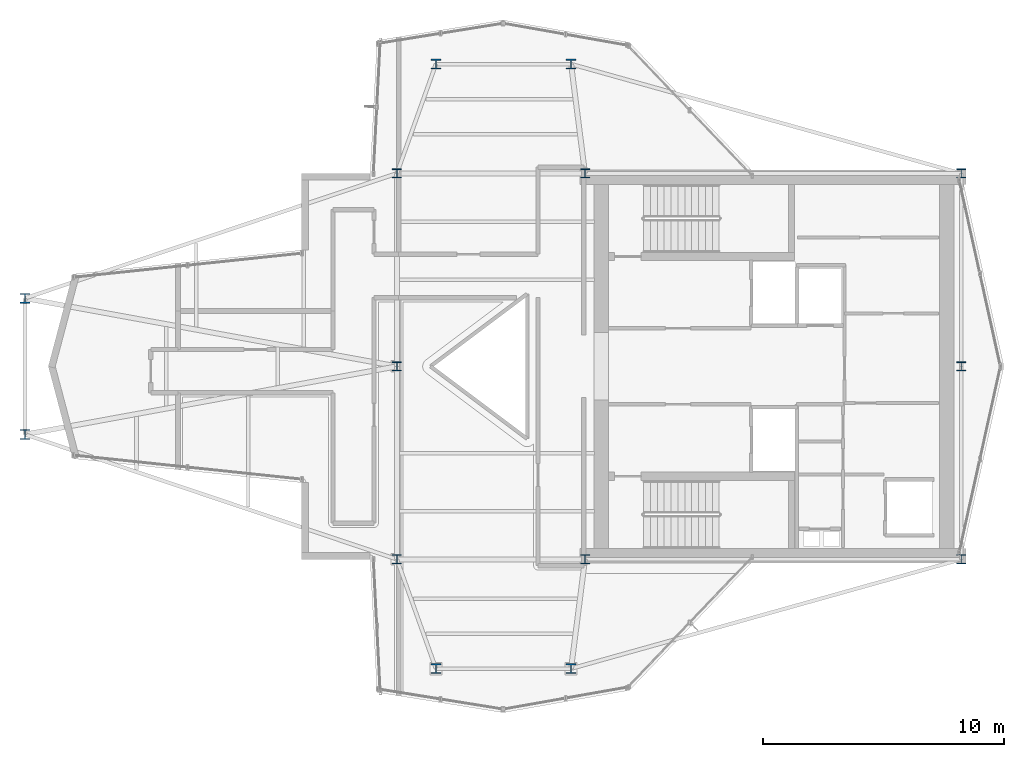
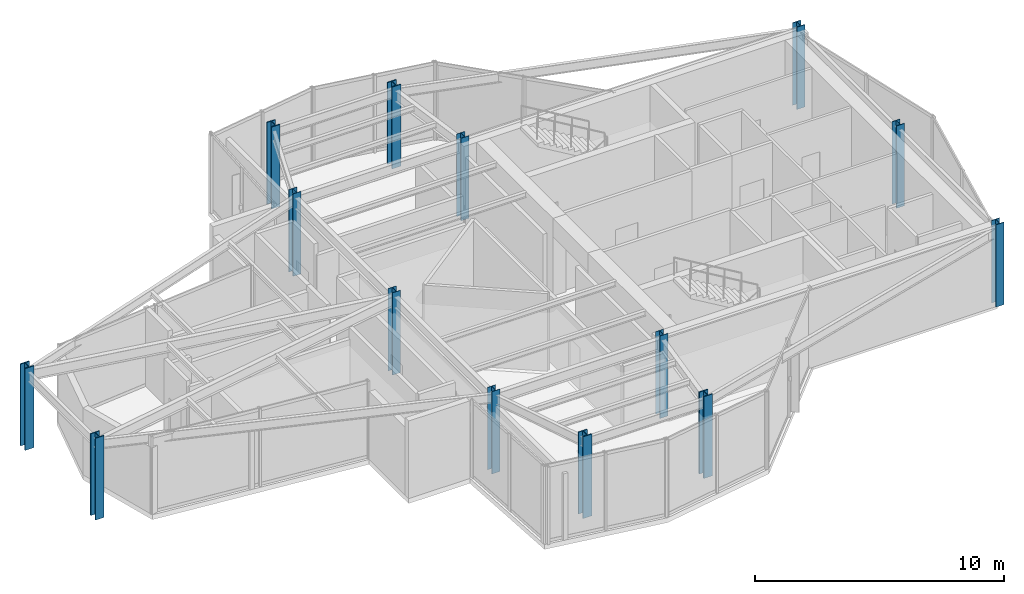
# One storey, part 1 of 14: 14 columns.
"""IFC4 building model written with IfcOpenShell, lengths in metres."""

from ifc_helpers import new_model, si_unit, direction, frame, origin, origin_2d, place, context, subcontext, project, spatial, i_section, extrude, material, material_profile, profile_set, type_object, element, save


model = new_model("IFC4")

# Units and contexts
model_context = context("Model", 3, precision=1e-05, world=origin(), true_north=direction((0.0, 1.0)))
body_context = subcontext(model_context, "Body", "Model", "MODEL_VIEW")
ifc_project = project(units=[si_unit("LENGTHUNIT", "METRE"), si_unit("AREAUNIT", "SQUARE_METRE"), si_unit("VOLUMEUNIT", "CUBIC_METRE"), si_unit("PLANEANGLEUNIT", "RADIAN"), si_unit("MASSUNIT", "GRAM", prefix="KILO")], contexts=[model_context])

# Site, building, storey
site_placement = place(None, origin())
site = spatial("IfcSite", under=ifc_project, at=site_placement, CompositionType="ELEMENT")
building_placement = place(site_placement, origin())
building = spatial("IfcBuilding", under=site, at=building_placement, Name="Veymaron Broadcast Tower", CompositionType="ELEMENT")
storey_placement = place(building_placement, frame((0.0, 0.0, 295.199951171875)))
storey = spatial("IfcBuildingStorey", under=building, at=storey_placement, Name="L69", CompositionType="ELEMENT", Elevation=295.199951171875)

# Columns
ifc_material_1 = material(Name="Structural steel ASTM A992 Gr 50", Category="steel")
ifc_material_profile_1 = material_profile(ifc_material_1, i_section(OverallWidth=0.373046875, OverallDepth=0.367919921875, WebThickness=0.014892578125, FlangeThickness=0.02392578125, at=origin_2d()), Name="W360X179")
ifc_profile_set_1 = profile_set([ifc_material_profile_1], Name="Structural steel ASTM A992 Gr 50")
column_type_1 = type_object("IfcColumnType", Name="COL-HC4", PredefinedType="COLUMN", material=ifc_profile_set_1)
for number, where, z_axis, x_axis, name in (
    (1, (31.199951171875, 16.0, 0.0), (0.0, 0.0, 1.0), (1.0, 0.0, 0.0), "L69 structural hub and core column"),
    (2, (31.199951171875, 24.0, 0.0), (0.0, 0.0, 1.0), (1.0, 0.0, 0.0), "L69 structural hub and core column"),
    (3, (31.199951171875, 32.0, 0.0), (0.0, 0.0, 1.0), (1.0, 0.0, 0.0), "L69 structural hub and core column"),
    (4, (39.0, 16.0, 0.0), (0.0, 0.0, 1.0), (1.0, 0.0, 0.0), "L69 structural hub and core column"),
    (5, (39.0, 32.0, 0.0), (0.0, 0.0, 1.0), (1.0, 0.0, 0.0), "L69 structural hub and core column"),
    (6, (54.60009765625, 16.0, 0.0), (0.0, 0.0, 1.0), (1.0, 0.0, 0.0), "L69 structural hub and core column"),
    (7, (54.60009765625, 24.0, 0.0), (0.0, 0.0, 1.0), (1.0, 0.0, 0.0), "L69 structural hub and core column"),
    (8, (54.60009765625, 32.0, 0.0), (0.0, 0.0, 1.0), (1.0, 0.0, 0.0), "L69 structural hub and core column"),
):
    element("IfcColumn", number, at=place(storey_placement, frame(where, z_axis=z_axis, x_axis=x_axis)), inside=storey, type_object=column_type_1, Name=name, PredefinedType="COLUMN", context=body_context, shape_type="SweptSolid", body=[
        extrude(i_section(OverallWidth=0.373046875, OverallDepth=0.367919921875, WebThickness=0.014892578125, FlangeThickness=0.02392578125, at=origin_2d()), origin(), (0.0, 0.0, 1.0), 4.0439453125),
    ])
ifc_material_2 = material(Name="Structural steel ASTM A913 Gr 65", Category="steel")
ifc_material_profile_2 = material_profile(ifc_material_2, i_section(OverallWidth=0.406005859375, OverallDepth=0.416015625, WebThickness=0.02978515625, FlangeThickness=0.048095703125, at=origin_2d()), Name="W360X382")
ifc_profile_set_2 = profile_set([ifc_material_profile_2], Name="Structural steel ASTM A913 Gr 65")
column_type_2 = type_object("IfcColumnType", Name="COL-MC4", PredefinedType="COLUMN", material=ifc_profile_set_2)
for number, where, z_axis, x_axis, name in (
    (9, (15.7763671875, 21.177978515625, 0.01611328125), (0.0, 0.0, 1.0), (1.0, 0.0, 0.0), "L69 Tapered Wing Mega Column"),
    (10, (15.7763671875, 26.822021484375, 0.01611328125), (0.0, 0.0, 1.0), (1.0, 0.0, 0.0), "L69 Tapered Wing Mega Column"),
    (11, (32.818359375, 36.531982421875, 0.01611328125), (0.0, 0.0, 1.0), (1.0, 0.0, 0.0), "L69 Tapered Wing Mega Column"),
    (12, (38.422119140625, 36.531982421875, 0.01611328125), (0.0, 0.0, 1.0), (1.0, 0.0, 0.0), "L69 Tapered Wing Mega Column"),
    (13, (32.818359375, 11.468017578125, 0.01611328125), (0.0, 0.0, 1.0), (1.0, 0.0, 0.0), "L69 Tapered Wing Mega Column"),
    (14, (38.422119140625, 11.468017578125, 0.01611328125), (0.0, 0.0, 1.0), (1.0, 0.0, 0.0), "L69 Tapered Wing Mega Column"),
):
    element("IfcColumn", number, at=place(storey_placement, frame(where, z_axis=z_axis, x_axis=x_axis)), inside=storey, type_object=column_type_2, Name=name, PredefinedType="COLUMN", context=body_context, shape_type="SweptSolid", body=[
        extrude(i_section(OverallWidth=0.406005859375, OverallDepth=0.416015625, WebThickness=0.02978515625, FlangeThickness=0.048095703125, at=origin_2d()), origin(), (0.0, 0.0, 1.0), 4.017822265625),
    ])

save(model, "model.ifc")
